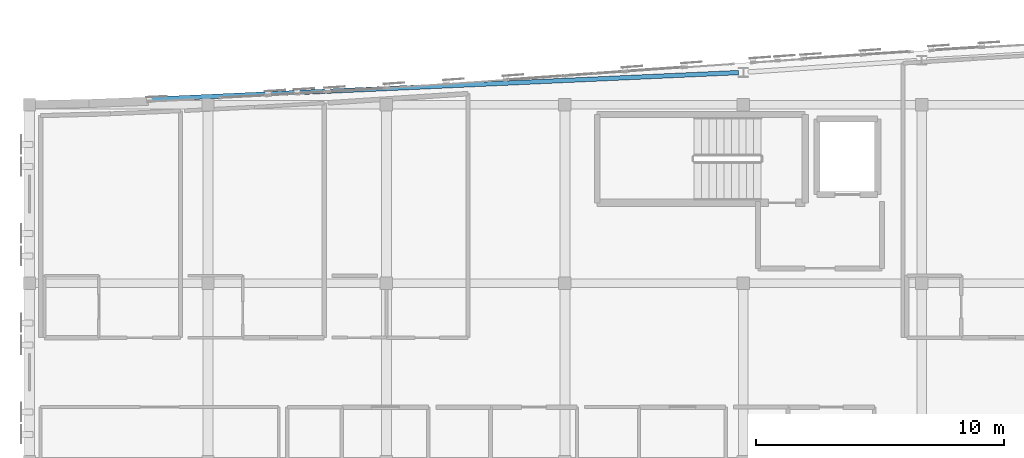
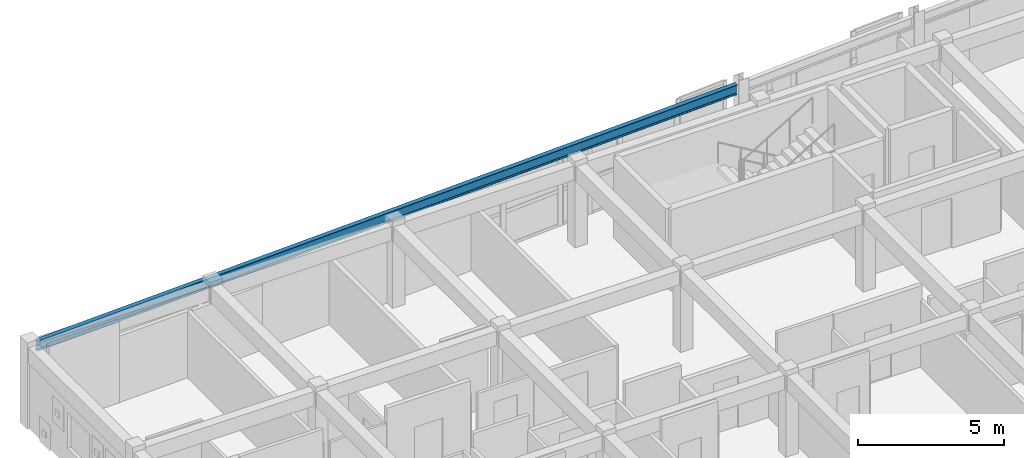
# One storey, part 6 of 34: 1 beam.
"""IFC4 building model written with IfcOpenShell, lengths in metres."""

from ifc_helpers import new_model, si_unit, direction, frame, origin, origin_2d, place, context, subcontext, project, spatial, i_section, extrude, material, material_profile, profile_set, type_object, element, save


model = new_model("IFC4")

# Units and contexts
model_context = context("Model", 3, precision=1e-05, world=origin(), true_north=direction((0.0, 1.0)))
body_context = subcontext(model_context, "Body", "Model", "MODEL_VIEW")
ifc_project = project(units=[si_unit("LENGTHUNIT", "METRE"), si_unit("AREAUNIT", "SQUARE_METRE"), si_unit("VOLUMEUNIT", "CUBIC_METRE"), si_unit("PLANEANGLEUNIT", "RADIAN"), si_unit("MASSUNIT", "GRAM", prefix="KILO")], contexts=[model_context])

# Site, building, storey
site_placement = place(None, origin())
site = spatial("IfcSite", under=ifc_project, at=site_placement, CompositionType="ELEMENT")
building_placement = place(site_placement, origin())
building = spatial("IfcBuilding", under=site, at=building_placement, Name="Carrowvane Square Congress Hotel", CompositionType="ELEMENT")
storey_placement = place(building_placement, frame((0.0, 0.0, 40.800048828125)))
storey = spatial("IfcBuildingStorey", under=building, at=storey_placement, Name="L10", CompositionType="ELEMENT", Elevation=40.800048828125)

# Beam
ifc_material = material(Name="Steel S355", Category="steel")
ifc_material_profile = material_profile(ifc_material, i_section(OverallWidth=0.1787109375, OverallDepth=0.409423828125, WebThickness=0.0087890625, FlangeThickness=0.014404296875, FilletRadius=0.01025390625, at=origin_2d()), Name="UKB 406x178x67")
ifc_profile_set = profile_set([ifc_material_profile], Name="Steel S355")
beam_type = type_object("IfcBeamType", Name="BM-ST-UKB406", PredefinedType="BEAM", material=ifc_profile_set)
beam_placement = place(storey_placement, frame((33.44970703125, 113.411376953125, 3.17529296875), z_axis=(0.99897353567, 0.045297627214, 0.0), x_axis=(-0.045297627214, 0.99897353567, 0.0)))
element("IfcBeam", 1, at=beam_placement, inside=storey, type_object=beam_type, Name="L11 curved north spandrel", PredefinedType="BEAM", context=body_context, shape_type="SweptSolid", body=[
    extrude(i_section(OverallWidth=0.1787109375, OverallDepth=0.409423828125, WebThickness=0.0087890625, FlangeThickness=0.014404296875, FilletRadius=0.01025390625, at=origin_2d()), origin(), (0.0, 0.0, 1.0), 28.382080078125),
])

save(model, "model.ifc")
